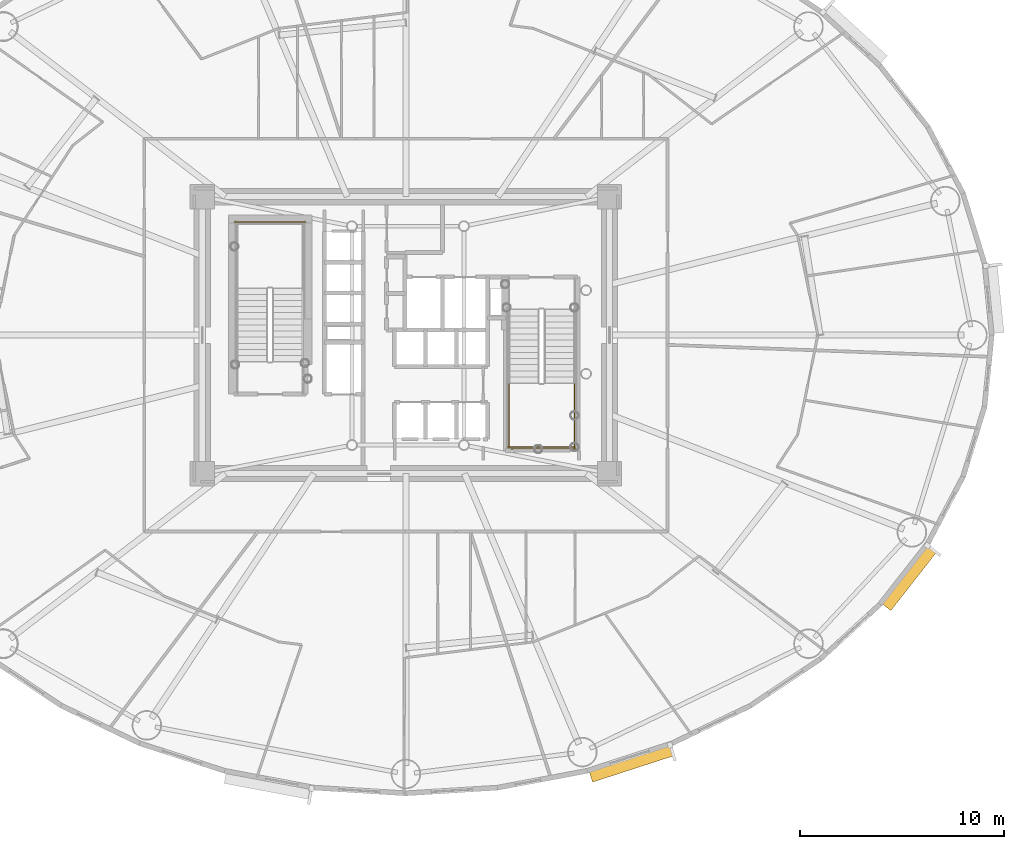
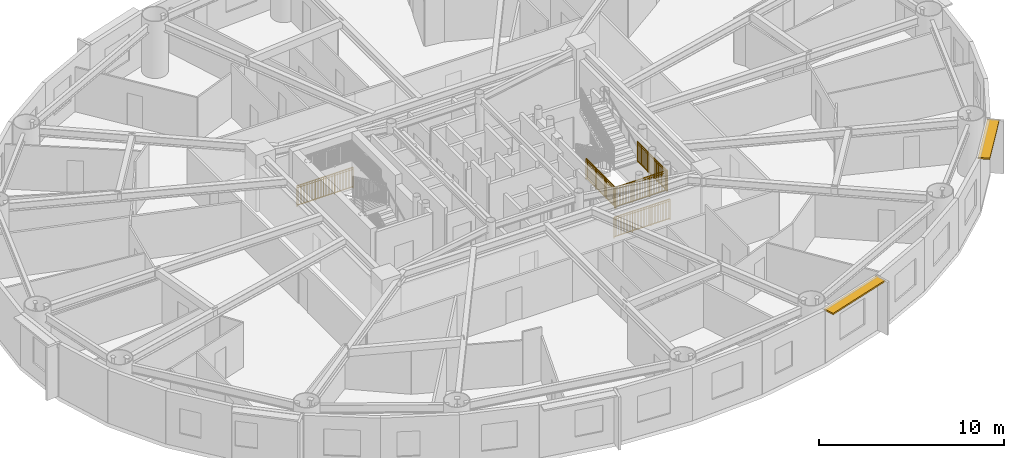
# One storey, part 17 of 19: 5 railings, 2 shading devices.
"""IFC4 building model written with IfcOpenShell, lengths in metres."""

from ifc_helpers import new_model, si_unit, direction, frame, origin, origin_2d, place, context, subcontext, project, spatial, rectangle, extrude, source, transform, mapped, material, layer, layer_set, type_object, element, save


model = new_model("IFC4")

# Units and contexts
model_context = context("Model", 3, precision=1e-05, world=origin(), true_north=direction((0.0, 1.0)))
body_context = subcontext(model_context, "Body", "Model", "MODEL_VIEW")
ifc_project = project(units=[si_unit("LENGTHUNIT", "METRE"), si_unit("AREAUNIT", "SQUARE_METRE"), si_unit("VOLUMEUNIT", "CUBIC_METRE"), si_unit("PLANEANGLEUNIT", "RADIAN"), si_unit("MASSUNIT", "GRAM", prefix="KILO")], contexts=[model_context])

# Site, building, storey
site_placement = place(None, origin())
site = spatial("IfcSite", under=ifc_project, at=site_placement, CompositionType="ELEMENT")
building_placement = place(site_placement, origin())
building = spatial("IfcBuilding", under=site, at=building_placement, Name="Linh Dai School and Residence Tower", CompositionType="ELEMENT")
storey_placement = place(building_placement, frame((0.0, 0.0, 112.199951171875)))
storey = spatial("IfcBuildingStorey", under=building, at=storey_placement, Name="L26", CompositionType="ELEMENT", Elevation=112.199951171875)

# Shading devices
ifc_material_1 = material(Name="Terracotta Ceramic Sunshade", Category="masonry")
ifc_layer = layer(ifc_material_1, 0.10009765625)
ifc_layer_set = layer_set([ifc_layer], Name="Terracotta Ceramic Sunshade")
shading_device_type = type_object("IfcShadingDeviceType", Name="SHD-TC-650", PredefinedType="USERDEFINED", material=ifc_layer_set)
shared_shape_1 = source(origin(), body_context, "Body", "SweptSolid", [
    extrude(rectangle(XDim=4.212890625, YDim=0.64990234375, at=origin_2d()), origin(), (0.0, 0.0, 1.0), 0.10009765625),
])
shading_device_1_placement = place(storey_placement, frame((47.07470703125, 6.004638671875, 3.3798828125), z_axis=(0.0, 0.0, 1.0), x_axis=(-0.951217089442, -0.308522363457, 0.0)))
element("IfcShadingDevice", 1, at=shading_device_1_placement, inside=storey, type_object=shading_device_type, Name="L26 Terracotta Horizontal Sunshade Band 33", ObjectType="SUNSHADE", PredefinedType="USERDEFINED", context=body_context, shape_type="MappedRepresentation", body=[
    mapped(shared_shape_1, transform((0.0, 0.0, 0.0), x_axis=(1.0, 0.0, 0.0), y_axis=(0.0, 1.0, 0.0), z_axis=(0.0, 0.0, 1.0), scale=1.0)),
])
shared_shape_2 = source(origin(), body_context, "Body", "SweptSolid", [
    extrude(rectangle(XDim=3.67041015625, YDim=0.64990234375, at=origin_2d()), origin(), (0.0, 0.0, 1.0), 0.10009765625),
])
shading_device_2_placement = place(storey_placement, frame((60.691650390625, 15.11328125, 3.3798828125), z_axis=(0.0, 0.0, 1.0), x_axis=(-0.616305017583, -0.787507539838, 0.0)))
element("IfcShadingDevice", 2, at=shading_device_2_placement, inside=storey, type_object=shading_device_type, Name="L26 Terracotta Horizontal Sunshade Band 37", ObjectType="SUNSHADE", PredefinedType="USERDEFINED", context=body_context, shape_type="MappedRepresentation", body=[
    mapped(shared_shape_2, transform((0.0, 0.0, 0.0), x_axis=(1.0, 0.0, 0.0), y_axis=(0.0, 1.0, 0.0), z_axis=(0.0, 0.0, 1.0), scale=1.0)),
])

# Railings
ifc_material_2 = material(Name="Structural Steel S355JR", Category="steel")
railing_type = type_object("IfcRailingType", Name="RL-ST-GUARD-1400", PredefinedType="GUARDRAIL", material=ifc_material_2)
shared_shape_3 = source(origin(), body_context, "Body", "SweptSolid", [
    extrude(rectangle(XDim=0.048095703125, YDim=0.048095703125, at=origin_2d()), frame((0.0, 0.0, 1.3759765625), z_axis=(-1.0, 0.0, 0.0), x_axis=(0.0, -1.0, 0.0)), (0.0, 0.0, 1.0), 3.5),
    extrude(rectangle(XDim=0.048095703125, YDim=0.048095703125, at=origin_2d()), frame((0.0, 0.0, 0.10009765625), z_axis=(-1.0, 0.0, 0.0), x_axis=(0.0, -1.0, 0.0)), (0.0, 0.0, 1.0), 3.5),
    extrude(rectangle(XDim=0.030029296875, YDim=0.030029296875, at=origin_2d()), frame((0.0, 0.0, 1.239990234375), z_axis=(-1.0, 0.0, 0.0), x_axis=(0.0, -1.0, 0.0)), (0.0, 0.0, 1.0), 3.5),
    extrude(rectangle(XDim=0.02001953125, YDim=0.02001953125, at=origin_2d()), frame((-0.09716796875, 0.0, 0.10009765625)), (0.0, 0.0, 1.0), 1.251708984375),
    extrude(rectangle(XDim=0.02001953125, YDim=0.02001953125, at=origin_2d()), frame((-0.1943359375, 0.0, 0.10009765625)), (0.0, 0.0, 1.0), 1.251708984375),
    extrude(rectangle(XDim=0.02001953125, YDim=0.02001953125, at=origin_2d()), frame((-0.291748046875, 0.0, 0.10009765625)), (0.0, 0.0, 1.0), 1.251708984375),
    extrude(rectangle(XDim=0.02001953125, YDim=0.02001953125, at=origin_2d()), frame((-0.388916015625, 0.0, 0.10009765625)), (0.0, 0.0, 1.0), 1.251708984375),
    extrude(rectangle(XDim=0.02001953125, YDim=0.02001953125, at=origin_2d()), frame((-0.486083984375, 0.0, 0.10009765625)), (0.0, 0.0, 1.0), 1.251708984375),
    extrude(rectangle(XDim=0.02001953125, YDim=0.02001953125, at=origin_2d()), frame((-0.583251953125, 0.0, 0.10009765625)), (0.0, 0.0, 1.0), 1.251708984375),
    extrude(rectangle(XDim=0.02001953125, YDim=0.02001953125, at=origin_2d()), frame((-0.6806640625, 0.0, 0.10009765625)), (0.0, 0.0, 1.0), 1.251708984375),
    extrude(rectangle(XDim=0.02001953125, YDim=0.02001953125, at=origin_2d()), frame((-0.77783203125, 0.0, 0.10009765625)), (0.0, 0.0, 1.0), 1.251708984375),
    extrude(rectangle(XDim=0.02001953125, YDim=0.02001953125, at=origin_2d()), frame((-0.875, 0.0, 0.10009765625)), (0.0, 0.0, 1.0), 1.251708984375),
    extrude(rectangle(XDim=0.02001953125, YDim=0.02001953125, at=origin_2d()), frame((-0.97216796875, 0.0, 0.10009765625)), (0.0, 0.0, 1.0), 1.251708984375),
    extrude(rectangle(XDim=0.02001953125, YDim=0.02001953125, at=origin_2d()), frame((-1.0693359375, 0.0, 0.10009765625)), (0.0, 0.0, 1.0), 1.251708984375),
    extrude(rectangle(XDim=0.02001953125, YDim=0.02001953125, at=origin_2d()), frame((-1.263916015625, 0.0, 0.10009765625)), (0.0, 0.0, 1.0), 1.251708984375),
    extrude(rectangle(XDim=0.02001953125, YDim=0.02001953125, at=origin_2d()), frame((-1.361083984375, 0.0, 0.10009765625)), (0.0, 0.0, 1.0), 1.251708984375),
    extrude(rectangle(XDim=0.02001953125, YDim=0.02001953125, at=origin_2d()), frame((-1.458251953125, 0.0, 0.10009765625)), (0.0, 0.0, 1.0), 1.251708984375),
    extrude(rectangle(XDim=0.02001953125, YDim=0.02001953125, at=origin_2d()), frame((-1.5556640625, 0.0, 0.10009765625)), (0.0, 0.0, 1.0), 1.251708984375),
    extrude(rectangle(XDim=0.02001953125, YDim=0.02001953125, at=origin_2d()), frame((-1.65283203125, 0.0, 0.10009765625)), (0.0, 0.0, 1.0), 1.251708984375),
    extrude(rectangle(XDim=0.02001953125, YDim=0.02001953125, at=origin_2d()), frame((-1.75, 0.0, 0.10009765625)), (0.0, 0.0, 1.0), 1.251708984375),
    extrude(rectangle(XDim=0.02001953125, YDim=0.02001953125, at=origin_2d()), frame((-1.84716796875, 0.0, 0.10009765625)), (0.0, 0.0, 1.0), 1.251708984375),
    extrude(rectangle(XDim=0.02001953125, YDim=0.02001953125, at=origin_2d()), frame((-1.9443359375, 0.0, 0.10009765625)), (0.0, 0.0, 1.0), 1.251708984375),
    extrude(rectangle(XDim=0.02001953125, YDim=0.02001953125, at=origin_2d()), frame((-2.041748046875, 0.0, 0.10009765625)), (0.0, 0.0, 1.0), 1.251708984375),
    extrude(rectangle(XDim=0.02001953125, YDim=0.02001953125, at=origin_2d()), frame((-2.138916015625, 0.0, 0.10009765625)), (0.0, 0.0, 1.0), 1.251708984375),
    extrude(rectangle(XDim=0.02001953125, YDim=0.02001953125, at=origin_2d()), frame((-2.236083984375, 0.0, 0.10009765625)), (0.0, 0.0, 1.0), 1.251708984375),
    extrude(rectangle(XDim=0.02001953125, YDim=0.02001953125, at=origin_2d()), frame((-2.4306640625, 0.0, 0.10009765625)), (0.0, 0.0, 1.0), 1.251708984375),
    extrude(rectangle(XDim=0.02001953125, YDim=0.02001953125, at=origin_2d()), frame((-2.52783203125, 0.0, 0.10009765625)), (0.0, 0.0, 1.0), 1.251708984375),
    extrude(rectangle(XDim=0.02001953125, YDim=0.02001953125, at=origin_2d()), frame((-2.625, 0.0, 0.10009765625)), (0.0, 0.0, 1.0), 1.251708984375),
    extrude(rectangle(XDim=0.02001953125, YDim=0.02001953125, at=origin_2d()), frame((-2.72216796875, 0.0, 0.10009765625)), (0.0, 0.0, 1.0), 1.251708984375),
    extrude(rectangle(XDim=0.02001953125, YDim=0.02001953125, at=origin_2d()), frame((-2.8193359375, 0.0, 0.10009765625)), (0.0, 0.0, 1.0), 1.251708984375),
    extrude(rectangle(XDim=0.02001953125, YDim=0.02001953125, at=origin_2d()), frame((-2.916748046875, 0.0, 0.10009765625)), (0.0, 0.0, 1.0), 1.251708984375),
    extrude(rectangle(XDim=0.02001953125, YDim=0.02001953125, at=origin_2d()), frame((-3.013916015625, 0.0, 0.10009765625)), (0.0, 0.0, 1.0), 1.251708984375),
    extrude(rectangle(XDim=0.02001953125, YDim=0.02001953125, at=origin_2d()), frame((-3.111083984375, 0.0, 0.10009765625)), (0.0, 0.0, 1.0), 1.251708984375),
    extrude(rectangle(XDim=0.02001953125, YDim=0.02001953125, at=origin_2d()), frame((-3.208251953125, 0.0, 0.10009765625)), (0.0, 0.0, 1.0), 1.251708984375),
    extrude(rectangle(XDim=0.02001953125, YDim=0.02001953125, at=origin_2d()), frame((-3.3056640625, 0.0, 0.10009765625)), (0.0, 0.0, 1.0), 1.251708984375),
    extrude(rectangle(XDim=0.02001953125, YDim=0.02001953125, at=origin_2d()), frame((-3.40283203125, 0.0, 0.10009765625)), (0.0, 0.0, 1.0), 1.251708984375),
    extrude(rectangle(XDim=0.0419921875, YDim=0.0419921875, at=origin_2d()), origin(), (0.0, 0.0, 1.0), 1.3759765625),
    extrude(rectangle(XDim=0.0419921875, YDim=0.0419921875, at=origin_2d()), frame((-1.166748046875, 0.0, 0.0)), (0.0, 0.0, 1.0), 1.3759765625),
    extrude(rectangle(XDim=0.0419921875, YDim=0.0419921875, at=origin_2d()), frame((-2.333251953125, 0.0, 0.0)), (0.0, 0.0, 1.0), 1.3759765625),
    extrude(rectangle(XDim=0.0419921875, YDim=0.0419921875, at=origin_2d()), frame((-3.5, 0.0, 0.0)), (0.0, 0.0, 1.0), 1.3759765625),
])
railing_1_placement = place(storey_placement, frame((31.080078125, 32.550048828125, 0.0)))
element("IfcRailing", 3, at=railing_1_placement, inside=storey, type_object=railing_type, Name="L26 ST1 stair guard 12", PredefinedType="GUARDRAIL", context=body_context, shape_type="MappedRepresentation", body=[
    mapped(shared_shape_3, transform((0.0, 0.0, 0.0), x_axis=(1.0, 0.0, 0.0), y_axis=(0.0, 1.0, 0.0), z_axis=(0.0, 0.0, 1.0), scale=1.0)),
])
shared_shape_4 = source(origin(), body_context, "Body", "SweptSolid", [
    extrude(rectangle(XDim=0.048095703125, YDim=0.048095703125, at=origin_2d()), frame((0.0, 0.0, 1.3759765625), z_axis=(1.0, 0.0, 0.0), x_axis=(0.0, 1.0, 0.0)), (0.0, 0.0, 1.0), 3.300048828125),
    extrude(rectangle(XDim=0.048095703125, YDim=0.048095703125, at=origin_2d()), frame((0.0, 0.0, 0.10009765625), z_axis=(1.0, 0.0, 0.0), x_axis=(0.0, 1.0, 0.0)), (0.0, 0.0, 1.0), 3.300048828125),
    extrude(rectangle(XDim=0.030029296875, YDim=0.030029296875, at=origin_2d()), frame((0.0, 0.0, 1.239990234375), z_axis=(1.0, 0.0, 0.0), x_axis=(0.0, 1.0, 0.0)), (0.0, 0.0, 1.0), 3.300048828125),
    extrude(rectangle(XDim=0.02001953125, YDim=0.02001953125, at=origin_2d()), frame((0.09716796875, 0.0, 0.10009765625)), (0.0, 0.0, 1.0), 1.251708984375),
    extrude(rectangle(XDim=0.02001953125, YDim=0.02001953125, at=origin_2d()), frame((0.194091796875, 0.0, 0.10009765625)), (0.0, 0.0, 1.0), 1.251708984375),
    extrude(rectangle(XDim=0.02001953125, YDim=0.02001953125, at=origin_2d()), frame((0.291259765625, 0.0, 0.10009765625)), (0.0, 0.0, 1.0), 1.251708984375),
    extrude(rectangle(XDim=0.02001953125, YDim=0.02001953125, at=origin_2d()), frame((0.38818359375, 0.0, 0.10009765625)), (0.0, 0.0, 1.0), 1.251708984375),
    extrude(rectangle(XDim=0.02001953125, YDim=0.02001953125, at=origin_2d()), frame((0.4853515625, 0.0, 0.10009765625)), (0.0, 0.0, 1.0), 1.251708984375),
    extrude(rectangle(XDim=0.02001953125, YDim=0.02001953125, at=origin_2d()), frame((0.582275390625, 0.0, 0.10009765625)), (0.0, 0.0, 1.0), 1.251708984375),
    extrude(rectangle(XDim=0.02001953125, YDim=0.02001953125, at=origin_2d()), frame((0.679443359375, 0.0, 0.10009765625)), (0.0, 0.0, 1.0), 1.251708984375),
    extrude(rectangle(XDim=0.02001953125, YDim=0.02001953125, at=origin_2d()), frame((0.7763671875, 0.0, 0.10009765625)), (0.0, 0.0, 1.0), 1.251708984375),
    extrude(rectangle(XDim=0.02001953125, YDim=0.02001953125, at=origin_2d()), frame((0.87353515625, 0.0, 0.10009765625)), (0.0, 0.0, 1.0), 1.251708984375),
    extrude(rectangle(XDim=0.02001953125, YDim=0.02001953125, at=origin_2d()), frame((0.970703125, 0.0, 0.10009765625)), (0.0, 0.0, 1.0), 1.251708984375),
    extrude(rectangle(XDim=0.02001953125, YDim=0.02001953125, at=origin_2d()), frame((1.164794921875, 0.0, 0.10009765625)), (0.0, 0.0, 1.0), 1.251708984375),
    extrude(rectangle(XDim=0.02001953125, YDim=0.02001953125, at=origin_2d()), frame((1.26171875, 0.0, 0.10009765625)), (0.0, 0.0, 1.0), 1.251708984375),
    extrude(rectangle(XDim=0.02001953125, YDim=0.02001953125, at=origin_2d()), frame((1.35888671875, 0.0, 0.10009765625)), (0.0, 0.0, 1.0), 1.251708984375),
    extrude(rectangle(XDim=0.02001953125, YDim=0.02001953125, at=origin_2d()), frame((1.455810546875, 0.0, 0.10009765625)), (0.0, 0.0, 1.0), 1.251708984375),
    extrude(rectangle(XDim=0.02001953125, YDim=0.02001953125, at=origin_2d()), frame((1.552978515625, 0.0, 0.10009765625)), (0.0, 0.0, 1.0), 1.251708984375),
    extrude(rectangle(XDim=0.02001953125, YDim=0.02001953125, at=origin_2d()), frame((1.64990234375, 0.0, 0.10009765625)), (0.0, 0.0, 1.0), 1.251708984375),
    extrude(rectangle(XDim=0.02001953125, YDim=0.02001953125, at=origin_2d()), frame((1.7470703125, 0.0, 0.10009765625)), (0.0, 0.0, 1.0), 1.251708984375),
    extrude(rectangle(XDim=0.02001953125, YDim=0.02001953125, at=origin_2d()), frame((1.84423828125, 0.0, 0.10009765625)), (0.0, 0.0, 1.0), 1.251708984375),
    extrude(rectangle(XDim=0.02001953125, YDim=0.02001953125, at=origin_2d()), frame((1.941162109375, 0.0, 0.10009765625)), (0.0, 0.0, 1.0), 1.251708984375),
    extrude(rectangle(XDim=0.02001953125, YDim=0.02001953125, at=origin_2d()), frame((2.038330078125, 0.0, 0.10009765625)), (0.0, 0.0, 1.0), 1.251708984375),
    extrude(rectangle(XDim=0.02001953125, YDim=0.02001953125, at=origin_2d()), frame((2.13525390625, 0.0, 0.10009765625)), (0.0, 0.0, 1.0), 1.251708984375),
    extrude(rectangle(XDim=0.02001953125, YDim=0.02001953125, at=origin_2d()), frame((2.329345703125, 0.0, 0.10009765625)), (0.0, 0.0, 1.0), 1.251708984375),
    extrude(rectangle(XDim=0.02001953125, YDim=0.02001953125, at=origin_2d()), frame((2.426513671875, 0.0, 0.10009765625)), (0.0, 0.0, 1.0), 1.251708984375),
    extrude(rectangle(XDim=0.02001953125, YDim=0.02001953125, at=origin_2d()), frame((2.523681640625, 0.0, 0.10009765625)), (0.0, 0.0, 1.0), 1.251708984375),
    extrude(rectangle(XDim=0.02001953125, YDim=0.02001953125, at=origin_2d()), frame((2.62060546875, 0.0, 0.10009765625)), (0.0, 0.0, 1.0), 1.251708984375),
    extrude(rectangle(XDim=0.02001953125, YDim=0.02001953125, at=origin_2d()), frame((2.7177734375, 0.0, 0.10009765625)), (0.0, 0.0, 1.0), 1.251708984375),
    extrude(rectangle(XDim=0.02001953125, YDim=0.02001953125, at=origin_2d()), frame((2.814697265625, 0.0, 0.10009765625)), (0.0, 0.0, 1.0), 1.251708984375),
    extrude(rectangle(XDim=0.02001953125, YDim=0.02001953125, at=origin_2d()), frame((2.911865234375, 0.0, 0.10009765625)), (0.0, 0.0, 1.0), 1.251708984375),
    extrude(rectangle(XDim=0.02001953125, YDim=0.02001953125, at=origin_2d()), frame((3.0087890625, 0.0, 0.10009765625)), (0.0, 0.0, 1.0), 1.251708984375),
    extrude(rectangle(XDim=0.02001953125, YDim=0.02001953125, at=origin_2d()), frame((3.10595703125, 0.0, 0.10009765625)), (0.0, 0.0, 1.0), 1.251708984375),
    extrude(rectangle(XDim=0.02001953125, YDim=0.02001953125, at=origin_2d()), frame((3.202880859375, 0.0, 0.10009765625)), (0.0, 0.0, 1.0), 1.251708984375),
    extrude(rectangle(XDim=0.0419921875, YDim=0.0419921875, at=origin_2d()), origin(), (0.0, 0.0, 1.0), 1.3759765625),
    extrude(rectangle(XDim=0.0419921875, YDim=0.0419921875, at=origin_2d()), frame((1.10009765625, 0.0, 0.0)), (0.0, 0.0, 1.0), 1.3759765625),
    extrude(rectangle(XDim=0.0419921875, YDim=0.0419921875, at=origin_2d()), frame((2.199951171875, 0.0, 0.0)), (0.0, 0.0, 1.0), 1.3759765625),
    extrude(rectangle(XDim=0.0419921875, YDim=0.0419921875, at=origin_2d()), frame((3.300048828125, 0.0, 0.0)), (0.0, 0.0, 1.0), 1.3759765625),
])
railing_2_placement = place(storey_placement, frame((41.02001953125, 21.5, 1.875)))
element("IfcRailing", 4, at=railing_2_placement, inside=storey, type_object=railing_type, Name="L26 ST2 stair guard 5", PredefinedType="GUARDRAIL", context=body_context, shape_type="MappedRepresentation", body=[
    mapped(shared_shape_4, transform((0.0, 0.0, 0.0), x_axis=(1.0, 0.0, 0.0), y_axis=(0.0, 1.0, 0.0), z_axis=(0.0, 0.0, 1.0), scale=1.0)),
])
shared_shape_5 = source(origin(), body_context, "Body", "SweptSolid", [
    extrude(rectangle(XDim=0.048095703125, YDim=0.048095703125, at=origin_2d()), frame((0.0, 0.0, 1.3759765625), z_axis=(1.0, 0.0, 0.0), x_axis=(0.0, 1.0, 0.0)), (0.0, 0.0, 1.0), 3.5),
    extrude(rectangle(XDim=0.048095703125, YDim=0.048095703125, at=origin_2d()), frame((0.0, 0.0, 0.10009765625), z_axis=(1.0, 0.0, 0.0), x_axis=(0.0, 1.0, 0.0)), (0.0, 0.0, 1.0), 3.5),
    extrude(rectangle(XDim=0.030029296875, YDim=0.030029296875, at=origin_2d()), frame((0.0, 0.0, 1.239990234375), z_axis=(1.0, 0.0, 0.0), x_axis=(0.0, 1.0, 0.0)), (0.0, 0.0, 1.0), 3.5),
    extrude(rectangle(XDim=0.02001953125, YDim=0.02001953125, at=origin_2d()), frame((0.09716796875, 0.0, 0.10009765625)), (0.0, 0.0, 1.0), 1.251708984375),
    extrude(rectangle(XDim=0.02001953125, YDim=0.02001953125, at=origin_2d()), frame((0.1943359375, 0.0, 0.10009765625)), (0.0, 0.0, 1.0), 1.251708984375),
    extrude(rectangle(XDim=0.02001953125, YDim=0.02001953125, at=origin_2d()), frame((0.291748046875, 0.0, 0.10009765625)), (0.0, 0.0, 1.0), 1.251708984375),
    extrude(rectangle(XDim=0.02001953125, YDim=0.02001953125, at=origin_2d()), frame((0.388916015625, 0.0, 0.10009765625)), (0.0, 0.0, 1.0), 1.251708984375),
    extrude(rectangle(XDim=0.02001953125, YDim=0.02001953125, at=origin_2d()), frame((0.486083984375, 0.0, 0.10009765625)), (0.0, 0.0, 1.0), 1.251708984375),
    extrude(rectangle(XDim=0.02001953125, YDim=0.02001953125, at=origin_2d()), frame((0.583251953125, 0.0, 0.10009765625)), (0.0, 0.0, 1.0), 1.251708984375),
    extrude(rectangle(XDim=0.02001953125, YDim=0.02001953125, at=origin_2d()), frame((0.6806640625, 0.0, 0.10009765625)), (0.0, 0.0, 1.0), 1.251708984375),
    extrude(rectangle(XDim=0.02001953125, YDim=0.02001953125, at=origin_2d()), frame((0.77783203125, 0.0, 0.10009765625)), (0.0, 0.0, 1.0), 1.251708984375),
    extrude(rectangle(XDim=0.02001953125, YDim=0.02001953125, at=origin_2d()), frame((0.875, 0.0, 0.10009765625)), (0.0, 0.0, 1.0), 1.251708984375),
    extrude(rectangle(XDim=0.02001953125, YDim=0.02001953125, at=origin_2d()), frame((0.97216796875, 0.0, 0.10009765625)), (0.0, 0.0, 1.0), 1.251708984375),
    extrude(rectangle(XDim=0.02001953125, YDim=0.02001953125, at=origin_2d()), frame((1.0693359375, 0.0, 0.10009765625)), (0.0, 0.0, 1.0), 1.251708984375),
    extrude(rectangle(XDim=0.02001953125, YDim=0.02001953125, at=origin_2d()), frame((1.263916015625, 0.0, 0.10009765625)), (0.0, 0.0, 1.0), 1.251708984375),
    extrude(rectangle(XDim=0.02001953125, YDim=0.02001953125, at=origin_2d()), frame((1.361083984375, 0.0, 0.10009765625)), (0.0, 0.0, 1.0), 1.251708984375),
    extrude(rectangle(XDim=0.02001953125, YDim=0.02001953125, at=origin_2d()), frame((1.458251953125, 0.0, 0.10009765625)), (0.0, 0.0, 1.0), 1.251708984375),
    extrude(rectangle(XDim=0.02001953125, YDim=0.02001953125, at=origin_2d()), frame((1.5556640625, 0.0, 0.10009765625)), (0.0, 0.0, 1.0), 1.251708984375),
    extrude(rectangle(XDim=0.02001953125, YDim=0.02001953125, at=origin_2d()), frame((1.65283203125, 0.0, 0.10009765625)), (0.0, 0.0, 1.0), 1.251708984375),
    extrude(rectangle(XDim=0.02001953125, YDim=0.02001953125, at=origin_2d()), frame((1.75, 0.0, 0.10009765625)), (0.0, 0.0, 1.0), 1.251708984375),
    extrude(rectangle(XDim=0.02001953125, YDim=0.02001953125, at=origin_2d()), frame((1.84716796875, 0.0, 0.10009765625)), (0.0, 0.0, 1.0), 1.251708984375),
    extrude(rectangle(XDim=0.02001953125, YDim=0.02001953125, at=origin_2d()), frame((1.9443359375, 0.0, 0.10009765625)), (0.0, 0.0, 1.0), 1.251708984375),
    extrude(rectangle(XDim=0.02001953125, YDim=0.02001953125, at=origin_2d()), frame((2.041748046875, 0.0, 0.10009765625)), (0.0, 0.0, 1.0), 1.251708984375),
    extrude(rectangle(XDim=0.02001953125, YDim=0.02001953125, at=origin_2d()), frame((2.138916015625, 0.0, 0.10009765625)), (0.0, 0.0, 1.0), 1.251708984375),
    extrude(rectangle(XDim=0.02001953125, YDim=0.02001953125, at=origin_2d()), frame((2.236083984375, 0.0, 0.10009765625)), (0.0, 0.0, 1.0), 1.251708984375),
    extrude(rectangle(XDim=0.02001953125, YDim=0.02001953125, at=origin_2d()), frame((2.4306640625, 0.0, 0.10009765625)), (0.0, 0.0, 1.0), 1.251708984375),
    extrude(rectangle(XDim=0.02001953125, YDim=0.02001953125, at=origin_2d()), frame((2.52783203125, 0.0, 0.10009765625)), (0.0, 0.0, 1.0), 1.251708984375),
    extrude(rectangle(XDim=0.02001953125, YDim=0.02001953125, at=origin_2d()), frame((2.625, 0.0, 0.10009765625)), (0.0, 0.0, 1.0), 1.251708984375),
    extrude(rectangle(XDim=0.02001953125, YDim=0.02001953125, at=origin_2d()), frame((2.72216796875, 0.0, 0.10009765625)), (0.0, 0.0, 1.0), 1.251708984375),
    extrude(rectangle(XDim=0.02001953125, YDim=0.02001953125, at=origin_2d()), frame((2.8193359375, 0.0, 0.10009765625)), (0.0, 0.0, 1.0), 1.251708984375),
    extrude(rectangle(XDim=0.02001953125, YDim=0.02001953125, at=origin_2d()), frame((2.916748046875, 0.0, 0.10009765625)), (0.0, 0.0, 1.0), 1.251708984375),
    extrude(rectangle(XDim=0.02001953125, YDim=0.02001953125, at=origin_2d()), frame((3.013916015625, 0.0, 0.10009765625)), (0.0, 0.0, 1.0), 1.251708984375),
    extrude(rectangle(XDim=0.02001953125, YDim=0.02001953125, at=origin_2d()), frame((3.111083984375, 0.0, 0.10009765625)), (0.0, 0.0, 1.0), 1.251708984375),
    extrude(rectangle(XDim=0.02001953125, YDim=0.02001953125, at=origin_2d()), frame((3.208251953125, 0.0, 0.10009765625)), (0.0, 0.0, 1.0), 1.251708984375),
    extrude(rectangle(XDim=0.02001953125, YDim=0.02001953125, at=origin_2d()), frame((3.3056640625, 0.0, 0.10009765625)), (0.0, 0.0, 1.0), 1.251708984375),
    extrude(rectangle(XDim=0.02001953125, YDim=0.02001953125, at=origin_2d()), frame((3.40283203125, 0.0, 0.10009765625)), (0.0, 0.0, 1.0), 1.251708984375),
    extrude(rectangle(XDim=0.0419921875, YDim=0.0419921875, at=origin_2d()), origin(), (0.0, 0.0, 1.0), 1.3759765625),
    extrude(rectangle(XDim=0.0419921875, YDim=0.0419921875, at=origin_2d()), frame((1.166748046875, 0.0, 0.0)), (0.0, 0.0, 1.0), 1.3759765625),
    extrude(rectangle(XDim=0.0419921875, YDim=0.0419921875, at=origin_2d()), frame((2.333251953125, 0.0, 0.0)), (0.0, 0.0, 1.0), 1.3759765625),
    extrude(rectangle(XDim=0.0419921875, YDim=0.0419921875, at=origin_2d()), frame((3.5, 0.0, 0.0)), (0.0, 0.0, 1.0), 1.3759765625),
])
railing_3_placement = place(storey_placement, frame((40.919921875, 21.39990234375, 0.0)))
element("IfcRailing", 5, at=railing_3_placement, inside=storey, type_object=railing_type, Name="L26 ST2 stair guard 12", PredefinedType="GUARDRAIL", context=body_context, shape_type="MappedRepresentation", body=[
    mapped(shared_shape_5, transform((0.0, 0.0, 0.0), x_axis=(1.0, 0.0, 0.0), y_axis=(0.0, 1.0, 0.0), z_axis=(0.0, 0.0, 1.0), scale=1.0)),
])
shared_shape_6 = source(origin(), body_context, "Body", "SweptSolid", [
    extrude(rectangle(XDim=0.048095703125, YDim=0.048095703125, at=origin_2d()), frame((0.0, 0.0, 1.3759765625), z_axis=(0.0, -1.0, 0.0), x_axis=(1.0, 0.0, 0.0)), (0.0, 0.0, 1.0), 3.199951171875),
    extrude(rectangle(XDim=0.048095703125, YDim=0.048095703125, at=origin_2d()), frame((0.0, 0.0, 0.10009765625), z_axis=(0.0, -1.0, 0.0), x_axis=(1.0, 0.0, 0.0)), (0.0, 0.0, 1.0), 3.199951171875),
    extrude(rectangle(XDim=0.030029296875, YDim=0.030029296875, at=origin_2d()), frame((0.0, 0.0, 1.239990234375), z_axis=(0.0, -1.0, 0.0), x_axis=(1.0, 0.0, 0.0)), (0.0, 0.0, 1.0), 3.199951171875),
    extrude(rectangle(XDim=0.02001953125, YDim=0.02001953125, at=origin_2d()), frame((0.0, -0.096923828125, 0.10009765625)), (0.0, 0.0, 1.0), 1.251708984375),
    extrude(rectangle(XDim=0.02001953125, YDim=0.02001953125, at=origin_2d()), frame((0.0, -0.19384765625, 0.10009765625)), (0.0, 0.0, 1.0), 1.251708984375),
    extrude(rectangle(XDim=0.02001953125, YDim=0.02001953125, at=origin_2d()), frame((0.0, -0.291015625, 0.10009765625)), (0.0, 0.0, 1.0), 1.251708984375),
    extrude(rectangle(XDim=0.02001953125, YDim=0.02001953125, at=origin_2d()), frame((0.0, -0.387939453125, 0.10009765625)), (0.0, 0.0, 1.0), 1.251708984375),
    extrude(rectangle(XDim=0.02001953125, YDim=0.02001953125, at=origin_2d()), frame((0.0, -0.48486328125, 0.10009765625)), (0.0, 0.0, 1.0), 1.251708984375),
    extrude(rectangle(XDim=0.02001953125, YDim=0.02001953125, at=origin_2d()), frame((0.0, -0.581787109375, 0.10009765625)), (0.0, 0.0, 1.0), 1.251708984375),
    extrude(rectangle(XDim=0.02001953125, YDim=0.02001953125, at=origin_2d()), frame((0.0, -0.6787109375, 0.10009765625)), (0.0, 0.0, 1.0), 1.251708984375),
    extrude(rectangle(XDim=0.02001953125, YDim=0.02001953125, at=origin_2d()), frame((0.0, -0.775634765625, 0.10009765625)), (0.0, 0.0, 1.0), 1.251708984375),
    extrude(rectangle(XDim=0.02001953125, YDim=0.02001953125, at=origin_2d()), frame((0.0, -0.872802734375, 0.10009765625)), (0.0, 0.0, 1.0), 1.251708984375),
    extrude(rectangle(XDim=0.02001953125, YDim=0.02001953125, at=origin_2d()), frame((0.0, -0.9697265625, 0.10009765625)), (0.0, 0.0, 1.0), 1.251708984375),
    extrude(rectangle(XDim=0.02001953125, YDim=0.02001953125, at=origin_2d()), frame((0.0, -1.16357421875, 0.10009765625)), (0.0, 0.0, 1.0), 1.251708984375),
    extrude(rectangle(XDim=0.02001953125, YDim=0.02001953125, at=origin_2d()), frame((0.0, -1.260498046875, 0.10009765625)), (0.0, 0.0, 1.0), 1.251708984375),
    extrude(rectangle(XDim=0.02001953125, YDim=0.02001953125, at=origin_2d()), frame((0.0, -1.357666015625, 0.10009765625)), (0.0, 0.0, 1.0), 1.251708984375),
    extrude(rectangle(XDim=0.02001953125, YDim=0.02001953125, at=origin_2d()), frame((0.0, -1.45458984375, 0.10009765625)), (0.0, 0.0, 1.0), 1.251708984375),
    extrude(rectangle(XDim=0.02001953125, YDim=0.02001953125, at=origin_2d()), frame((0.0, -1.551513671875, 0.10009765625)), (0.0, 0.0, 1.0), 1.251708984375),
    extrude(rectangle(XDim=0.02001953125, YDim=0.02001953125, at=origin_2d()), frame((0.0, -1.6484375, 0.10009765625)), (0.0, 0.0, 1.0), 1.251708984375),
    extrude(rectangle(XDim=0.02001953125, YDim=0.02001953125, at=origin_2d()), frame((0.0, -1.745361328125, 0.10009765625)), (0.0, 0.0, 1.0), 1.251708984375),
    extrude(rectangle(XDim=0.02001953125, YDim=0.02001953125, at=origin_2d()), frame((0.0, -1.84228515625, 0.10009765625)), (0.0, 0.0, 1.0), 1.251708984375),
    extrude(rectangle(XDim=0.02001953125, YDim=0.02001953125, at=origin_2d()), frame((0.0, -1.939453125, 0.10009765625)), (0.0, 0.0, 1.0), 1.251708984375),
    extrude(rectangle(XDim=0.02001953125, YDim=0.02001953125, at=origin_2d()), frame((0.0, -2.036376953125, 0.10009765625)), (0.0, 0.0, 1.0), 1.251708984375),
    extrude(rectangle(XDim=0.02001953125, YDim=0.02001953125, at=origin_2d()), frame((0.0, -2.230224609375, 0.10009765625)), (0.0, 0.0, 1.0), 1.251708984375),
    extrude(rectangle(XDim=0.02001953125, YDim=0.02001953125, at=origin_2d()), frame((0.0, -2.3271484375, 0.10009765625)), (0.0, 0.0, 1.0), 1.251708984375),
    extrude(rectangle(XDim=0.02001953125, YDim=0.02001953125, at=origin_2d()), frame((0.0, -2.42431640625, 0.10009765625)), (0.0, 0.0, 1.0), 1.251708984375),
    extrude(rectangle(XDim=0.02001953125, YDim=0.02001953125, at=origin_2d()), frame((0.0, -2.521240234375, 0.10009765625)), (0.0, 0.0, 1.0), 1.251708984375),
    extrude(rectangle(XDim=0.02001953125, YDim=0.02001953125, at=origin_2d()), frame((0.0, -2.6181640625, 0.10009765625)), (0.0, 0.0, 1.0), 1.251708984375),
    extrude(rectangle(XDim=0.02001953125, YDim=0.02001953125, at=origin_2d()), frame((0.0, -2.715087890625, 0.10009765625)), (0.0, 0.0, 1.0), 1.251708984375),
    extrude(rectangle(XDim=0.02001953125, YDim=0.02001953125, at=origin_2d()), frame((0.0, -2.81201171875, 0.10009765625)), (0.0, 0.0, 1.0), 1.251708984375),
    extrude(rectangle(XDim=0.02001953125, YDim=0.02001953125, at=origin_2d()), frame((0.0, -2.908935546875, 0.10009765625)), (0.0, 0.0, 1.0), 1.251708984375),
    extrude(rectangle(XDim=0.02001953125, YDim=0.02001953125, at=origin_2d()), frame((0.0, -3.006103515625, 0.10009765625)), (0.0, 0.0, 1.0), 1.251708984375),
    extrude(rectangle(XDim=0.02001953125, YDim=0.02001953125, at=origin_2d()), frame((0.0, -3.10302734375, 0.10009765625)), (0.0, 0.0, 1.0), 1.251708984375),
    extrude(rectangle(XDim=0.0419921875, YDim=0.0419921875, at=origin_2d()), origin(), (0.0, 0.0, 1.0), 1.3759765625),
    extrude(rectangle(XDim=0.0419921875, YDim=0.0419921875, at=origin_2d()), frame((0.0, -1.066650390625, 0.0)), (0.0, 0.0, 1.0), 1.3759765625),
    extrude(rectangle(XDim=0.0419921875, YDim=0.0419921875, at=origin_2d()), frame((0.0, -2.13330078125, 0.0)), (0.0, 0.0, 1.0), 1.3759765625),
    extrude(rectangle(XDim=0.0419921875, YDim=0.0419921875, at=origin_2d()), frame((0.0, -3.199951171875, 0.0)), (0.0, 0.0, 1.0), 1.3759765625),
])
for number, where, name in (
    (6, (41.070068359375, 24.64990234375, 1.875), "L26 ST2 stair guard 3"),
    (7, (44.27001953125, 24.64990234375, 1.875), "L26 ST2 stair guard 4"),
):
    element("IfcRailing", number, at=place(storey_placement, frame(where)), inside=storey, type_object=railing_type, Name=name, PredefinedType="GUARDRAIL", context=body_context, shape_type="MappedRepresentation", body=[
        mapped(shared_shape_6, transform((0.0, 0.0, 0.0), x_axis=(1.0, 0.0, 0.0), y_axis=(0.0, 1.0, 0.0), z_axis=(0.0, 0.0, 1.0), scale=1.0)),
    ])

save(model, "model.ifc")
